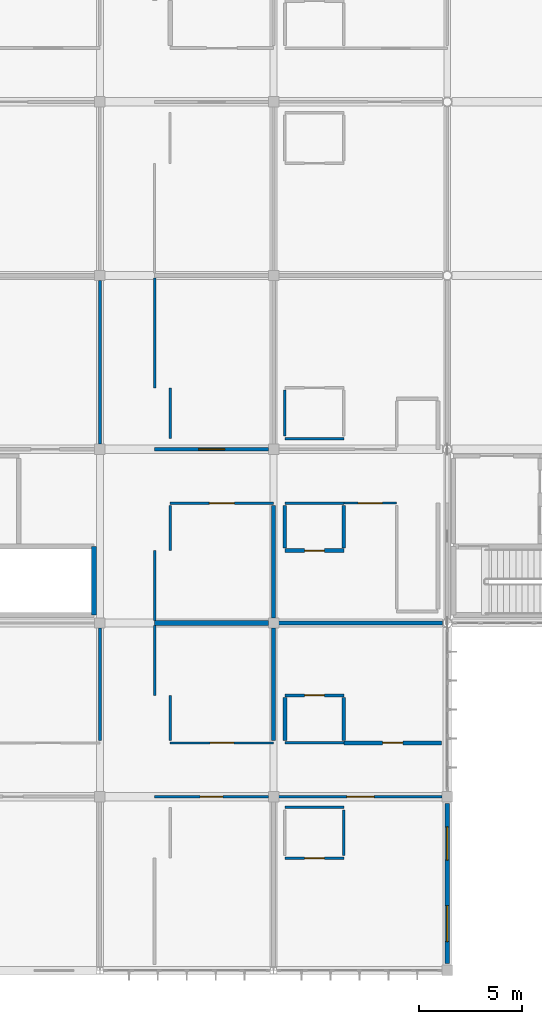
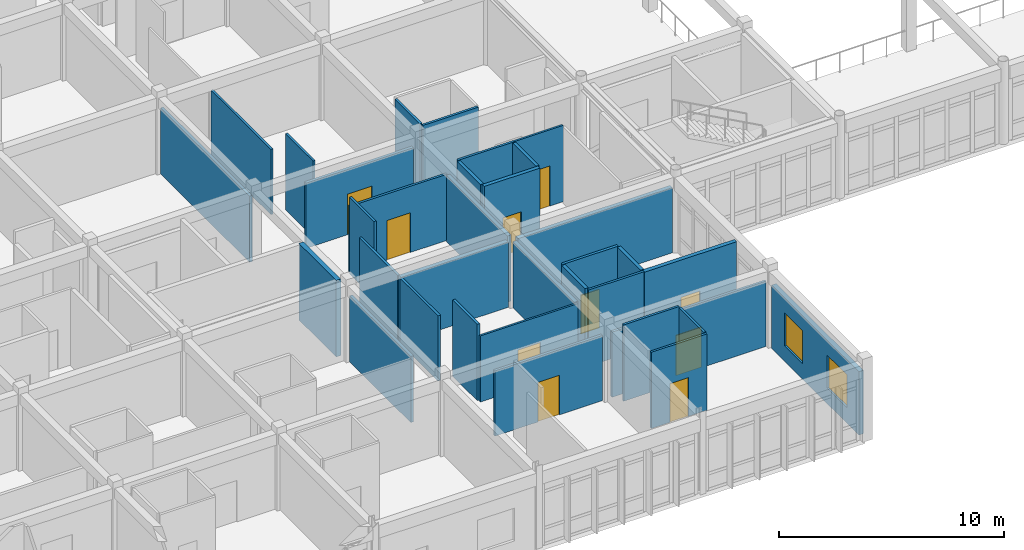
# One storey, part 98 of 144: 34 walls, 10 doors, 2 windows, 12 openings.
"""IFC4 building model written with IfcOpenShell, lengths in metres."""

from ifc_helpers import new_model, si_unit, direction, frame, frame_2d, origin, place, context, subcontext, project, spatial, rectangle, extrude, material, layer, layer_set, type_object, element, fill, save


model = new_model("IFC4")

# Units and contexts
model_context = context("Model", 3, precision=1e-05, world=origin(), true_north=direction((0.0, 1.0)))
body_context = subcontext(model_context, "Body", "Model", "MODEL_VIEW")
ifc_project = project(units=[si_unit("LENGTHUNIT", "METRE"), si_unit("AREAUNIT", "SQUARE_METRE"), si_unit("VOLUMEUNIT", "CUBIC_METRE"), si_unit("PLANEANGLEUNIT", "RADIAN"), si_unit("MASSUNIT", "GRAM", prefix="KILO")], contexts=[model_context])

# Site, building, storey
site_placement = place(None, origin())
site = spatial("IfcSite", under=ifc_project, at=site_placement, CompositionType="ELEMENT")
building_placement = place(site_placement, origin())
building = spatial("IfcBuilding", under=site, at=building_placement, Name="Bramfleet General Hospital", CompositionType="ELEMENT")
storey_placement = place(building_placement, frame((0.0, 0.0, 4.800048828125)))
storey = spatial("IfcBuildingStorey", under=building, at=storey_placement, Name="L01", CompositionType="ELEMENT", Elevation=4.800048828125)

# Wall, openings, windows
ifc_material_1 = material(Name="Precast concrete C40/50", Category="concrete")
ifc_layer_1 = layer(ifc_material_1, 0.235107421875, Name="WT-EW-09")
ifc_layer_set_1 = layer_set([ifc_layer_1], Name="Precast concrete C40/50")
wall_type_1 = type_object("IfcWallType", Name="WT-EW-09", PredefinedType="SOLIDWALL", material=ifc_layer_set_1)
wall_1_placement = place(storey_placement, frame((50.39990234375, 8.074951171875, 0.0), z_axis=(0.0, 0.0, 1.0), x_axis=(0.0, -1.0, 0.0)))
wall_1 = element("IfcWall", 1, at=wall_1_placement, inside=storey, type_object=wall_type_1, Name="L01 Exterior Wall 189", PredefinedType="SOLIDWALL", context=body_context, shape_type="SweptSolid", body=[
    extrude(rectangle(XDim=7.75, YDim=0.235107421875, at=frame_2d((3.875, 0.0))), origin(), (0.0, 0.0, 1.0), 3.43994140625),
])
opening_1_placement = place(wall_1_placement, frame((1.137451171875, 0.0, 0.85009765625)))
opening_1 = element("IfcOpeningElement", 2, at=opening_1_placement, cuts=wall_1, Name="Opening W-44", PredefinedType="OPENING", context=body_context, shape_type="SweptSolid", body=[
    extrude(rectangle(XDim=1.60009765625, YDim=1.780029296875, at=frame_2d((0.800048828125, 0.89013671875))), frame((0.0, 0.12744140625, 0.0), z_axis=(0.0, -1.0, 0.0), x_axis=(1.0, 0.0, 0.0)), (0.0, 0.0, 1.0), 0.255126953125),
])
opening_2_placement = place(wall_1_placement, frame((4.9375, 0.0, 0.85009765625)))
opening_2 = element("IfcOpeningElement", 3, at=opening_2_placement, cuts=wall_1, Name="Opening W-45", PredefinedType="OPENING", context=body_context, shape_type="SweptSolid", body=[
    extrude(rectangle(XDim=1.75, YDim=1.780029296875, at=frame_2d((0.875, 0.89013671875))), frame((0.0, 0.12744140625, 0.0), z_axis=(0.0, -1.0, 0.0), x_axis=(1.0, 0.0, 0.0)), (0.0, 0.0, 1.0), 0.255126953125),
])
ifc_material_2 = material(Name="Anodised aluminium and low-E triple glazing", Category="aluminium")
window_type_1 = type_object("IfcWindowType", Name="WIN-W-44", PartitioningType="SINGLE_PANEL", PredefinedType="WINDOW", material=ifc_material_2)
window_1_placement = place(opening_1_placement, origin())
window_1 = element("IfcWindow", 4, at=window_1_placement, inside=storey, type_object=window_type_1, Name="L01 Facade Window WIN-L01-189-1", OverallHeight=1.780029296875, OverallWidth=1.60009765625, PartitioningType="SINGLE_PANEL", PredefinedType="WINDOW", context=body_context, shape_type="SweptSolid", body=[
    extrude(rectangle(XDim=1.60009765625, YDim=1.780029296875, at=frame_2d((0.800048828125, 0.89013671875))), frame((0.0, 0.030029296875, 0.0), z_axis=(0.0, -1.0, 0.0), x_axis=(1.0, 0.0, 0.0)), (0.0, 0.0, 1.0), 0.06005859375),
])
fill(opening_1, window_1)
window_type_2 = type_object("IfcWindowType", Name="WIN-W-45", PartitioningType="SINGLE_PANEL", PredefinedType="WINDOW", material=ifc_material_2)
window_2_placement = place(opening_2_placement, origin())
window_2 = element("IfcWindow", 5, at=window_2_placement, inside=storey, type_object=window_type_2, Name="L01 Facade Window WIN-L01-189-2", OverallHeight=1.780029296875, OverallWidth=1.75, PartitioningType="SINGLE_PANEL", PredefinedType="WINDOW", context=body_context, shape_type="SweptSolid", body=[
    extrude(rectangle(XDim=1.75, YDim=1.780029296875, at=frame_2d((0.875, 0.89013671875))), frame((0.0, 0.030029296875, 0.0), z_axis=(0.0, -1.0, 0.0), x_axis=(1.0, 0.0, 0.0)), (0.0, 0.0, 1.0), 0.06005859375),
])
fill(opening_2, window_2)

# Wall
ifc_material_3 = material(Name="Concrete C35/45", Category="concrete")
ifc_layer_2 = layer(ifc_material_3, 0.219970703125, Name="WT-IW-01")
ifc_layer_set_2 = layer_set([ifc_layer_2], Name="Concrete C35/45")
wall_type_2 = type_object("IfcWallType", Name="WT-IW-01", PredefinedType="PARTITIONING", material=ifc_layer_set_2)
wall_2_placement = place(storey_placement, frame((36.25, 16.800048828125, 0.0), z_axis=(0.0, 0.0, 1.0), x_axis=(1.0, 0.0, 0.0)))
element("IfcWall", 6, at=wall_2_placement, inside=storey, type_object=wall_type_2, Name="L01 Interior Partition IW-L01-1261", PredefinedType="PARTITIONING", context=body_context, shape_type="SweptSolid", body=[
    extrude(rectangle(XDim=5.5048828125, YDim=0.219970703125, at=frame_2d((2.75244140625, 0.0))), origin(), (0.0, 0.0, 1.0), 3.5400390625),
])

# Wall, opening, door
ifc_layer_3 = layer(ifc_material_3, 0.205078125, Name="WT-IW-02")
ifc_layer_set_3 = layer_set([ifc_layer_3], Name="Concrete C35/45")
wall_type_3 = type_object("IfcWallType", Name="WT-IW-02", PredefinedType="PARTITIONING", material=ifc_layer_set_3)
wall_3_placement = place(storey_placement, frame((45.39990234375, 11.0, 0.0), z_axis=(0.0, 0.0, 1.0), x_axis=(1.0, 0.0, 0.0)))
wall_3 = element("IfcWall", 7, at=wall_3_placement, inside=storey, type_object=wall_type_3, Name="L01 Interior Partition IW-L01-1238", PredefinedType="PARTITIONING", context=body_context, shape_type="SweptSolid", body=[
    extrude(rectangle(XDim=4.72021484375, YDim=0.205078125, at=frame_2d((2.360107421875, 0.0))), origin(), (0.0, 0.0, 1.0), 4.139892578125),
])
opening_3_placement = place(wall_3_placement, frame((1.8701171875, 0.0, 0.0)))
opening_3 = element("IfcOpeningElement", 8, at=opening_3_placement, cuts=wall_3, Name="Opening D0698", PredefinedType="OPENING", context=body_context, shape_type="SweptSolid", body=[
    extrude(rectangle(XDim=0.97998046875, YDim=2.1201171875, at=frame_2d((0.489990234375, 1.06005859375))), frame((0.0, 0.112548828125, 0.0), z_axis=(0.0, -1.0, 0.0), x_axis=(1.0, 0.0, 0.0)), (0.0, 0.0, 1.0), 0.22509765625),
])
ifc_material_4 = material(Name="Stainless steel and acoustic timber leaf", Category="steel")
door_type_1 = type_object("IfcDoorType", Name="DR-D-26", OperationType="NOTDEFINED", PredefinedType="DOOR", material=ifc_material_4)
door_1_placement = place(opening_3_placement, origin())
door_1 = element("IfcDoor", 9, at=door_1_placement, inside=storey, type_object=door_type_1, Name="Emergency Observation Ward Room L01-0501 Door D0698", OperationType="SINGLE_SWING_LEFT", OverallHeight=2.1201171875, OverallWidth=0.97998046875, PredefinedType="DOOR", context=body_context, shape_type="SweptSolid", body=[
    extrude(rectangle(XDim=0.97998046875, YDim=2.1201171875, at=frame_2d((0.489990234375, 1.06005859375))), frame((0.0, 0.02490234375, 0.0), z_axis=(0.0, -1.0, 0.0), x_axis=(1.0, 0.0, 0.0)), (0.0, 0.0, 1.0), 0.050048828125),
])
fill(opening_3, door_1)

# Wall
wall_4_placement = place(storey_placement, frame((42.2451171875, 16.800048828125, 0.0), z_axis=(0.0, 0.0, 1.0), x_axis=(1.0, 0.0, 0.0)))
element("IfcWall", 10, at=wall_4_placement, inside=storey, type_object=wall_type_3, Name="L01 Interior Partition IW-L01-1262", PredefinedType="PARTITIONING", context=body_context, shape_type="SweptSolid", body=[
    extrude(rectangle(XDim=7.931396484375, YDim=0.205078125, at=frame_2d((3.9658203125, 0.0))), origin(), (0.0, 0.0, 1.0), 3.5400390625),
])

# Wall, opening, door
ifc_layer_4 = layer(ifc_material_3, 0.18994140625, Name="WT-IW-03")
ifc_layer_set_4 = layer_set([ifc_layer_4], Name="Concrete C35/45")
wall_type_4 = type_object("IfcWallType", Name="WT-IW-03", PredefinedType="PARTITIONING", material=ifc_layer_set_4)
wall_5_placement = place(storey_placement, frame((42.550048828125, 20.300048828125, 0.0), z_axis=(0.0, 0.0, 1.0), x_axis=(1.0, 0.0, 0.0)))
wall_5 = element("IfcWall", 11, at=wall_5_placement, inside=storey, type_object=wall_type_4, Name="L01 Interior Partition IW-L01-1287", PredefinedType="PARTITIONING", context=body_context, shape_type="SweptSolid", body=[
    extrude(rectangle(XDim=2.849853515625, YDim=0.18994140625, at=frame_2d((1.4248046875, 0.0))), origin(), (0.0, 0.0, 1.0), 4.139892578125),
])
opening_4_placement = place(wall_5_placement, frame((0.949951171875, 0.0, 0.0)))
opening_4 = element("IfcOpeningElement", 12, at=opening_4_placement, cuts=wall_5, Name="Opening D0701", PredefinedType="OPENING", context=body_context, shape_type="SweptSolid", body=[
    extrude(rectangle(XDim=0.949951171875, YDim=2.10009765625, at=frame_2d((0.47509765625, 1.050048828125))), frame((0.0, 0.10498046875, 0.0), z_axis=(0.0, -1.0, 0.0), x_axis=(1.0, 0.0, 0.0)), (0.0, 0.0, 1.0), 0.2099609375),
])
door_type_2 = type_object("IfcDoorType", Name="DR-D-10", OperationType="NOTDEFINED", PredefinedType="DOOR", material=ifc_material_4)
door_2_placement = place(opening_4_placement, origin())
door_2 = element("IfcDoor", 13, at=door_2_placement, inside=storey, type_object=door_type_2, Name="Observation En-Suite Bathroom L01-0502 Door D0701", OperationType="SINGLE_SWING_LEFT", OverallHeight=2.10009765625, OverallWidth=0.949951171875, PredefinedType="DOOR", context=body_context, shape_type="SweptSolid", body=[
    extrude(rectangle(XDim=0.949951171875, YDim=2.10009765625, at=frame_2d((0.47509765625, 1.050048828125))), frame((0.0, 0.02490234375, 0.0), z_axis=(0.0, -1.0, 0.0), x_axis=(1.0, 0.0, 0.0)), (0.0, 0.0, 1.0), 0.050048828125),
])
fill(opening_4, door_2)

# Walls
wall_6_placement = place(storey_placement, frame((42.0, 11.114990234375, 0.0), z_axis=(0.0, 0.0, 1.0), x_axis=(0.0, 1.0, 0.0)))
element("IfcWall", 14, at=wall_6_placement, inside=storey, type_object=wall_type_4, Name="L01 Interior Partition IW-L01-1707", PredefinedType="PARTITIONING", context=body_context, shape_type="SweptSolid", body=[
    extrude(rectangle(XDim=5.43994140625, YDim=0.18994140625, at=frame_2d((2.719970703125, 0.0))), origin(), (0.0, 0.0, 1.0), 3.58984375),
])
ifc_layer_5 = layer(ifc_material_3, 0.179931640625, Name="WT-IW-04")
ifc_layer_set_5 = layer_set([ifc_layer_5], Name="Concrete C35/45")
wall_type_5 = type_object("IfcWallType", Name="WT-IW-04", PredefinedType="PARTITIONING", material=ifc_layer_set_5)
wall_7_placement = place(storey_placement, frame((42.0, 17.044921875, 0.0), z_axis=(0.0, 0.0, 1.0), x_axis=(0.0, 1.0, 0.0)))
element("IfcWall", 15, at=wall_7_placement, inside=storey, type_object=wall_type_5, Name="L01 Interior Partition IW-L01-1708", PredefinedType="PARTITIONING", context=body_context, shape_type="SweptSolid", body=[
    extrude(rectangle(XDim=5.440185546875, YDim=0.179931640625, at=frame_2d((2.72021484375, 0.0))), origin(), (0.0, 0.0, 1.0), 3.58984375),
])
wall_8_placement = place(storey_placement, frame((42.550048828125, 11.114990234375, 0.0), z_axis=(0.0, 0.0, 1.0), x_axis=(0.0, 1.0, 0.0)))
element("IfcWall", 16, at=wall_8_placement, inside=storey, type_object=wall_type_5, Name="L01 Interior Partition IW-L01-1720", PredefinedType="PARTITIONING", context=body_context, shape_type="SweptSolid", body=[
    extrude(rectangle(XDim=2.070068359375, YDim=0.179931640625, at=frame_2d((1.03515625, 0.0))), origin(), (0.0, 0.0, 1.0), 4.139892578125),
])
ifc_material_5 = material(Name="Gypsum plasterboard on acoustic steel studs", Category="steel")
ifc_layer_6 = layer(ifc_material_5, 0.169921875, Name="WT-IW-05")
ifc_layer_set_6 = layer_set([ifc_layer_6], Name="Gypsum plasterboard on acoustic steel studs")
wall_type_6 = type_object("IfcWallType", Name="WT-IW-05", PredefinedType="PARTITIONING", material=ifc_layer_set_6)
for number, where, z_axis, x_axis, name in (
    (17, (42.550048828125, 20.4150390625, 0.0), (0.0, 0.0, 1.0), (0.0, 1.0, 0.0), "L01 Interior Partition IW-L01-1721"),
    (18, (45.39990234375, 11.114990234375, 0.0), (0.0, 0.0, 1.0), (0.0, 1.0, 0.0), "L01 Interior Partition IW-L01-1733"),
):
    element("IfcWall", number, at=place(storey_placement, frame(where, z_axis=z_axis, x_axis=x_axis)), inside=storey, type_object=wall_type_6, Name=name, PredefinedType="PARTITIONING", context=body_context, shape_type="SweptSolid", body=[
        extrude(rectangle(XDim=2.070068359375, YDim=0.169921875, at=frame_2d((1.03515625, 0.0))), origin(), (0.0, 0.0, 1.0), 4.139892578125),
    ])
ifc_layer_7 = layer(ifc_material_5, 0.159912109375, Name="WT-IW-06")
ifc_layer_set_7 = layer_set([ifc_layer_7], Name="Gypsum plasterboard on acoustic steel studs")
wall_type_7 = type_object("IfcWallType", Name="WT-IW-06", PredefinedType="PARTITIONING", material=ifc_layer_set_7)
wall_9_placement = place(storey_placement, frame((45.39990234375, 20.4150390625, 0.0), z_axis=(0.0, 0.0, 1.0), x_axis=(0.0, 1.0, 0.0)))
element("IfcWall", 19, at=wall_9_placement, inside=storey, type_object=wall_type_7, Name="L01 Interior Partition IW-L01-1734", PredefinedType="PARTITIONING", context=body_context, shape_type="SweptSolid", body=[
    extrude(rectangle(XDim=2.070068359375, YDim=0.159912109375, at=frame_2d((1.03515625, 0.0))), origin(), (0.0, 0.0, 1.0), 4.139892578125),
])

# Wall, opening, door
ifc_layer_8 = layer(ifc_material_5, 0.14990234375, Name="WT-IW-07")
ifc_layer_set_8 = layer_set([ifc_layer_8], Name="Gypsum plasterboard on acoustic steel studs")
wall_type_8 = type_object("IfcWallType", Name="WT-IW-07", PredefinedType="PARTITIONING", material=ifc_layer_set_8)
wall_10_placement = place(storey_placement, frame((36.25, 25.199951171875, 0.0), z_axis=(0.0, 0.0, 1.0), x_axis=(1.0, 0.0, 0.0)))
wall_10 = element("IfcWall", 20, at=wall_10_placement, inside=storey, type_object=wall_type_8, Name="L01 Interior Partition IW-L01-1315", PredefinedType="PARTITIONING", context=body_context, shape_type="SweptSolid", body=[
    extrude(rectangle(XDim=5.5048828125, YDim=0.14990234375, at=frame_2d((2.75244140625, 0.0))), origin(), (0.0, 0.0, 1.0), 3.5400390625),
])
opening_5_placement = place(wall_10_placement, frame((2.12744140625, 0.0, 0.0)))
opening_5 = element("IfcOpeningElement", 21, at=opening_5_placement, cuts=wall_10, Name="Opening D0686", PredefinedType="OPENING", context=body_context, shape_type="SweptSolid", body=[
    extrude(rectangle(XDim=1.25, YDim=2.199951171875, at=frame_2d((0.625, 1.10009765625))), frame((0.0, 0.0849609375, 0.0), z_axis=(0.0, -1.0, 0.0), x_axis=(1.0, 0.0, 0.0)), (0.0, 0.0, 1.0), 0.169921875),
])
door_type_3 = type_object("IfcDoorType", Name="DR-D-14", OperationType="NOTDEFINED", PredefinedType="DOOR", material=ifc_material_4)
door_3_placement = place(opening_5_placement, origin())
door_3 = element("IfcDoor", 22, at=door_3_placement, inside=storey, type_object=door_type_3, Name="Emergency Observation Ward Room L01-0403 Door D0686", OperationType="SINGLE_SWING_LEFT", OverallHeight=2.199951171875, OverallWidth=1.25, PredefinedType="DOOR", context=body_context, shape_type="SweptSolid", body=[
    extrude(rectangle(XDim=1.25, YDim=2.199951171875, at=frame_2d((0.625, 1.10009765625))), frame((0.0, 0.02490234375, 0.0), z_axis=(0.0, -1.0, 0.0), x_axis=(1.0, 0.0, 0.0)), (0.0, 0.0, 1.0), 0.050048828125),
])
fill(opening_5, door_3)

# Wall
wall_11_placement = place(storey_placement, frame((33.60009765625, 11.114990234375, 0.0), z_axis=(0.0, 0.0, 1.0), x_axis=(0.0, 1.0, 0.0)))
element("IfcWall", 23, at=wall_11_placement, inside=storey, type_object=wall_type_8, Name="L01 Interior Partition IW-L01-1675", PredefinedType="PARTITIONING", context=body_context, shape_type="SweptSolid", body=[
    extrude(rectangle(XDim=5.43994140625, YDim=0.14990234375, at=frame_2d((2.719970703125, 0.0))), origin(), (0.0, 0.0, 1.0), 3.58984375),
])

# Wall, opening, door
ifc_layer_9 = layer(ifc_material_5, 0.139892578125, Name="WT-IW-08")
ifc_layer_set_9 = layer_set([ifc_layer_9], Name="Gypsum plasterboard on acoustic steel studs")
wall_type_9 = type_object("IfcWallType", Name="WT-IW-08", PredefinedType="PARTITIONING", material=ifc_layer_set_9)
wall_12_placement = place(storey_placement, frame((42.550048828125, 13.300048828125, 0.0), z_axis=(0.0, 0.0, 1.0), x_axis=(1.0, 0.0, 0.0)))
wall_12 = element("IfcWall", 24, at=wall_12_placement, inside=storey, type_object=wall_type_9, Name="L01 Interior Partition IW-L01-1256", PredefinedType="PARTITIONING", context=body_context, shape_type="SweptSolid", body=[
    extrude(rectangle(XDim=2.849853515625, YDim=0.139892578125, at=frame_2d((1.4248046875, 0.0))), origin(), (0.0, 0.0, 1.0), 4.139892578125),
])
opening_6_placement = place(wall_12_placement, frame((0.949951171875, 0.0, 0.0)))
opening_6 = element("IfcOpeningElement", 25, at=opening_6_placement, cuts=wall_12, Name="Opening D0699", PredefinedType="OPENING", context=body_context, shape_type="SweptSolid", body=[
    extrude(rectangle(XDim=0.949951171875, YDim=2.10009765625, at=frame_2d((0.47509765625, 1.050048828125))), frame((0.0, 0.079833984375, 0.0), z_axis=(0.0, -1.0, 0.0), x_axis=(1.0, 0.0, 0.0)), (0.0, 0.0, 1.0), 0.159912109375),
])
door_4_placement = place(opening_6_placement, origin())
door_4 = element("IfcDoor", 26, at=door_4_placement, inside=storey, type_object=door_type_2, Name="Observation En-Suite Bathroom L01-0501 Door D0699", OperationType="SINGLE_SWING_LEFT", OverallHeight=2.10009765625, OverallWidth=0.949951171875, PredefinedType="DOOR", context=body_context, shape_type="SweptSolid", body=[
    extrude(rectangle(XDim=0.949951171875, YDim=2.10009765625, at=frame_2d((0.47509765625, 1.050048828125))), frame((0.0, 0.02490234375, 0.0), z_axis=(0.0, -1.0, 0.0), x_axis=(1.0, 0.0, 0.0)), (0.0, 0.0, 1.0), 0.050048828125),
])
fill(opening_6, door_4)

# Wall
wall_13_placement = place(storey_placement, frame((33.60009765625, 25.445068359375, 0.0), z_axis=(0.0, 0.0, 1.0), x_axis=(0.0, 1.0, 0.0)))
element("IfcWall", 27, at=wall_13_placement, inside=storey, type_object=wall_type_9, Name="L01 Interior Partition IW-L01-1676", PredefinedType="PARTITIONING", context=body_context, shape_type="SweptSolid", body=[
    extrude(rectangle(XDim=7.909912109375, YDim=0.139892578125, at=frame_2d((3.955078125, 0.0))), origin(), (0.0, 0.0, 1.0), 3.58984375),
])

# Wall, opening, door
ifc_layer_10 = layer(ifc_material_5, 0.1298828125, Name="WT-IW-09")
ifc_layer_set_10 = layer_set([ifc_layer_10], Name="Gypsum plasterboard on acoustic steel studs")
wall_type_10 = type_object("IfcWallType", Name="WT-IW-09", PredefinedType="PARTITIONING", material=ifc_layer_set_10)
wall_14_placement = place(storey_placement, frame((36.25, 8.39990234375, 0.0), z_axis=(0.0, 0.0, 1.0), x_axis=(1.0, 0.0, 0.0)))
wall_14 = element("IfcWall", 28, at=wall_14_placement, inside=storey, type_object=wall_type_10, Name="L01 Interior Partition IW-L01-1209", PredefinedType="PARTITIONING", context=body_context, shape_type="SweptSolid", body=[
    extrude(rectangle(XDim=5.5048828125, YDim=0.1298828125, at=frame_2d((2.75244140625, 0.0))), origin(), (0.0, 0.0, 1.0), 3.5400390625),
])
opening_7_placement = place(wall_14_placement, frame((2.202392578125, 0.0, 0.0)))
opening_7 = element("IfcOpeningElement", 29, at=opening_7_placement, cuts=wall_14, Name="Opening D0683", PredefinedType="OPENING", context=body_context, shape_type="SweptSolid", body=[
    extrude(rectangle(XDim=1.10009765625, YDim=2.14990234375, at=frame_2d((0.550048828125, 1.074951171875))), frame((0.0, 0.074951171875, 0.0), z_axis=(0.0, -1.0, 0.0), x_axis=(1.0, 0.0, 0.0)), (0.0, 0.0, 1.0), 0.14990234375),
])
door_type_4 = type_object("IfcDoorType", Name="DR-D-11", OperationType="NOTDEFINED", PredefinedType="DOOR", material=ifc_material_4)
door_5_placement = place(opening_7_placement, origin())
door_5 = element("IfcDoor", 30, at=door_5_placement, inside=storey, type_object=door_type_4, Name="Emergency Observation Ward Room L01-0400 Door D0683", OperationType="SINGLE_SWING_RIGHT", OverallHeight=2.14990234375, OverallWidth=1.10009765625, PredefinedType="DOOR", context=body_context, shape_type="SweptSolid", body=[
    extrude(rectangle(XDim=1.10009765625, YDim=2.14990234375, at=frame_2d((0.550048828125, 1.074951171875))), frame((0.0, 0.02490234375, 0.0), z_axis=(0.0, -1.0, 0.0), x_axis=(1.0, 0.0, 0.0)), (0.0, 0.0, 1.0), 0.050048828125),
])
fill(opening_7, door_5)

# Walls
wall_15_placement = place(storey_placement, frame((36.25, 13.300048828125, 0.0), z_axis=(0.0, 0.0, 1.0), x_axis=(0.0, 1.0, 0.0)))
element("IfcWall", 31, at=wall_15_placement, inside=storey, type_object=wall_type_10, Name="L01 Interior Partition IW-L01-1689", PredefinedType="PARTITIONING", context=body_context, shape_type="SweptSolid", body=[
    extrude(rectangle(XDim=3.385009765625, YDim=0.1298828125, at=frame_2d((1.6923828125, 0.0))), origin(), (0.0, 0.0, 1.0), 3.5400390625),
])
wall_16_placement = place(storey_placement, frame((37.0, 11.114990234375, 0.0), z_axis=(0.0, 0.0, 1.0), x_axis=(0.0, 1.0, 0.0)))
element("IfcWall", 32, at=wall_16_placement, inside=storey, type_object=wall_type_10, Name="L01 Interior Partition IW-L01-1701", PredefinedType="PARTITIONING", context=body_context, shape_type="SweptSolid", body=[
    extrude(rectangle(XDim=2.18505859375, YDim=0.1298828125, at=frame_2d((1.092529296875, 0.0))), origin(), (0.0, 0.0, 1.0), 4.139892578125),
])

# Wall, opening, door
ifc_layer_11 = layer(ifc_material_5, 0.1201171875, Name="WT-IW-10")
ifc_layer_set_11 = layer_set([ifc_layer_11], Name="Gypsum plasterboard on acoustic steel studs")
wall_type_11 = type_object("IfcWallType", Name="WT-IW-10", PredefinedType="PARTITIONING", material=ifc_layer_set_11)
wall_17_placement = place(storey_placement, frame((42.550048828125, 5.429931640625, 0.0), z_axis=(0.0, 0.0, 1.0), x_axis=(1.0, 0.0, 0.0)))
wall_17 = element("IfcWall", 33, at=wall_17_placement, inside=storey, type_object=wall_type_11, Name="L01 Interior Partition IW-L01-1199", PredefinedType="PARTITIONING", context=body_context, shape_type="SweptSolid", body=[
    extrude(rectangle(XDim=2.849853515625, YDim=0.1201171875, at=frame_2d((1.4248046875, 0.0))), origin(), (0.0, 0.0, 1.0), 4.139892578125),
])
opening_8_placement = place(wall_17_placement, frame((0.949951171875, 0.0, 0.0)))
opening_8 = element("IfcOpeningElement", 34, at=opening_8_placement, cuts=wall_17, Name="Opening D0697", PredefinedType="OPENING", context=body_context, shape_type="SweptSolid", body=[
    extrude(rectangle(XDim=0.949951171875, YDim=2.10009765625, at=frame_2d((0.47509765625, 1.050048828125))), frame((0.0, 0.070068359375, 0.0), z_axis=(0.0, -1.0, 0.0), x_axis=(1.0, 0.0, 0.0)), (0.0, 0.0, 1.0), 0.14013671875),
])
door_6_placement = place(opening_8_placement, origin())
door_6 = element("IfcDoor", 35, at=door_6_placement, inside=storey, type_object=door_type_2, Name="Observation En-Suite Bathroom L01-0500 Door D0697", OperationType="SINGLE_SWING_LEFT", OverallHeight=2.10009765625, OverallWidth=0.949951171875, PredefinedType="DOOR", context=body_context, shape_type="SweptSolid", body=[
    extrude(rectangle(XDim=0.949951171875, YDim=2.10009765625, at=frame_2d((0.47509765625, 1.050048828125))), frame((0.0, 0.02490234375, 0.0), z_axis=(0.0, -1.0, 0.0), x_axis=(1.0, 0.0, 0.0)), (0.0, 0.0, 1.0), 0.050048828125),
])
fill(opening_8, door_6)

# Wall
wall_18_placement = place(storey_placement, frame((42.550048828125, 7.8798828125, 0.0), z_axis=(0.0, 0.0, 1.0), x_axis=(1.0, 0.0, 0.0)))
element("IfcWall", 36, at=wall_18_placement, inside=storey, type_object=wall_type_11, Name="L01 Interior Partition IW-L01-1204", PredefinedType="PARTITIONING", context=body_context, shape_type="SweptSolid", body=[
    extrude(rectangle(XDim=2.849853515625, YDim=0.1201171875, at=frame_2d((1.4248046875, 0.0))), origin(), (0.0, 0.0, 1.0), 4.139892578125),
])

# Wall, opening, door
wall_19_placement = place(storey_placement, frame((42.2451171875, 8.39990234375, 0.0), z_axis=(0.0, 0.0, 1.0), x_axis=(1.0, 0.0, 0.0)))
wall_19 = element("IfcWall", 37, at=wall_19_placement, inside=storey, type_object=wall_type_11, Name="L01 Interior Partition IW-L01-1210", PredefinedType="PARTITIONING", context=body_context, shape_type="SweptSolid", body=[
    extrude(rectangle(XDim=7.909912109375, YDim=0.1201171875, at=frame_2d((3.955078125, 0.0))), origin(), (0.0, 0.0, 1.0), 3.5400390625),
])
opening_9_placement = place(wall_19_placement, frame((3.294921875, 0.0, 0.0)))
opening_9 = element("IfcOpeningElement", 38, at=opening_9_placement, cuts=wall_19, Name="Opening D0696", PredefinedType="OPENING", context=body_context, shape_type="SweptSolid", body=[
    extrude(rectangle(XDim=1.320068359375, YDim=2.179931640625, at=frame_2d((0.66015625, 1.08984375))), frame((0.0, 0.070068359375, 0.0), z_axis=(0.0, -1.0, 0.0), x_axis=(1.0, 0.0, 0.0)), (0.0, 0.0, 1.0), 0.14013671875),
])
door_type_5 = type_object("IfcDoorType", Name="DR-D-24", OperationType="NOTDEFINED", PredefinedType="DOOR", material=ifc_material_4)
door_7_placement = place(opening_9_placement, origin())
door_7 = element("IfcDoor", 39, at=door_7_placement, inside=storey, type_object=door_type_5, Name="Emergency Observation Ward Room L01-0500 Door D0696", OperationType="SINGLE_SWING_LEFT", OverallHeight=2.179931640625, OverallWidth=1.320068359375, PredefinedType="DOOR", context=body_context, shape_type="SweptSolid", body=[
    extrude(rectangle(XDim=1.320068359375, YDim=2.179931640625, at=frame_2d((0.66015625, 1.08984375))), frame((0.0, 0.02490234375, 0.0), z_axis=(0.0, -1.0, 0.0), x_axis=(1.0, 0.0, 0.0)), (0.0, 0.0, 1.0), 0.050048828125),
])
fill(opening_9, door_7)

# Wall
wall_20_placement = place(storey_placement, frame((42.550048828125, 11.0, 0.0), z_axis=(0.0, 0.0, 1.0), x_axis=(1.0, 0.0, 0.0)))
element("IfcWall", 40, at=wall_20_placement, inside=storey, type_object=wall_type_11, Name="L01 Interior Partition IW-L01-1237", PredefinedType="PARTITIONING", context=body_context, shape_type="SweptSolid", body=[
    extrude(rectangle(XDim=2.849853515625, YDim=0.1201171875, at=frame_2d((1.4248046875, 0.0))), origin(), (0.0, 0.0, 1.0), 4.139892578125),
])

# Wall, opening, door
wall_21_placement = place(storey_placement, frame((37.0, 22.60009765625, 0.0), z_axis=(0.0, 0.0, 1.0), x_axis=(1.0, 0.0, 0.0)))
wall_21 = element("IfcWall", 41, at=wall_21_placement, inside=storey, type_object=wall_type_11, Name="L01 Interior Partition IW-L01-1294", PredefinedType="PARTITIONING", context=body_context, shape_type="SweptSolid", body=[
    extrude(rectangle(XDim=5.0, YDim=0.1201171875, at=frame_2d((2.5, 0.0))), origin(), (0.0, 0.0, 1.0), 3.58984375),
])
opening_10_placement = place(wall_21_placement, frame((1.89990234375, 0.0, 0.0)))
opening_10 = element("IfcOpeningElement", 42, at=opening_10_placement, cuts=wall_21, Name="Opening D0685", PredefinedType="OPENING", context=body_context, shape_type="SweptSolid", body=[
    extrude(rectangle(XDim=1.199951171875, YDim=2.14990234375, at=frame_2d((0.60009765625, 1.074951171875))), frame((0.0, 0.070068359375, 0.0), z_axis=(0.0, -1.0, 0.0), x_axis=(1.0, 0.0, 0.0)), (0.0, 0.0, 1.0), 0.14013671875),
])
door_type_6 = type_object("IfcDoorType", Name="DR-D-13", OperationType="NOTDEFINED", PredefinedType="DOOR", material=ifc_material_4)
door_8_placement = place(opening_10_placement, origin())
door_8 = element("IfcDoor", 43, at=door_8_placement, inside=storey, type_object=door_type_6, Name="Emergency Observation Ward Room L01-0402 Door D0685", OperationType="SINGLE_SWING_RIGHT", OverallHeight=2.14990234375, OverallWidth=1.199951171875, PredefinedType="DOOR", context=body_context, shape_type="SweptSolid", body=[
    extrude(rectangle(XDim=1.199951171875, YDim=2.14990234375, at=frame_2d((0.60009765625, 1.074951171875))), frame((0.0, 0.02490234375, 0.0), z_axis=(0.0, -1.0, 0.0), x_axis=(1.0, 0.0, 0.0)), (0.0, 0.0, 1.0), 0.050048828125),
])
fill(opening_10, door_8)

# Walls
for number, where, z_axis, x_axis, name in (
    (44, (42.550048828125, 22.60009765625, 0.0), (0.0, 0.0, 1.0), (1.0, 0.0, 0.0), "L01 Interior Partition IW-L01-1295"),
    (45, (42.550048828125, 25.719970703125, 0.0), (0.0, 0.0, 1.0), (1.0, 0.0, 0.0), "L01 Interior Partition IW-L01-1323"),
):
    element("IfcWall", number, at=place(storey_placement, frame(where, z_axis=z_axis, x_axis=x_axis)), inside=storey, type_object=wall_type_11, Name=name, PredefinedType="PARTITIONING", context=body_context, shape_type="SweptSolid", body=[
        extrude(rectangle(XDim=2.849853515625, YDim=0.1201171875, at=frame_2d((1.4248046875, 0.0))), origin(), (0.0, 0.0, 1.0), 4.139892578125),
    ])
wall_22_placement = place(storey_placement, frame((36.25, 16.9150390625, 0.0), z_axis=(0.0, 0.0, 1.0), x_axis=(0.0, 1.0, 0.0)))
element("IfcWall", 46, at=wall_22_placement, inside=storey, type_object=wall_type_11, Name="L01 Interior Partition IW-L01-1690", PredefinedType="PARTITIONING", context=body_context, shape_type="SweptSolid", body=[
    extrude(rectangle(XDim=3.385009765625, YDim=0.1201171875, at=frame_2d((1.6923828125, 0.0))), origin(), (0.0, 0.0, 1.0), 3.5400390625),
])
wall_23_placement = place(storey_placement, frame((37.0, 20.300048828125, 0.0), z_axis=(0.0, 0.0, 1.0), x_axis=(0.0, 1.0, 0.0)))
element("IfcWall", 47, at=wall_23_placement, inside=storey, type_object=wall_type_11, Name="L01 Interior Partition IW-L01-1702", PredefinedType="PARTITIONING", context=body_context, shape_type="SweptSolid", body=[
    extrude(rectangle(XDim=2.18505859375, YDim=0.1201171875, at=frame_2d((1.092529296875, 0.0))), origin(), (0.0, 0.0, 1.0), 4.139892578125),
])
for number, where, z_axis, x_axis, name in (
    (48, (42.550048828125, 25.8349609375, 0.0), (0.0, 0.0, 1.0), (0.0, 1.0, 0.0), "L01 Interior Partition IW-L01-1722"),
    (49, (45.39990234375, 5.544921875, 0.0), (0.0, 0.0, 1.0), (0.0, 1.0, 0.0), "L01 Interior Partition IW-L01-1732"),
):
    element("IfcWall", number, at=place(storey_placement, frame(where, z_axis=z_axis, x_axis=x_axis)), inside=storey, type_object=wall_type_11, Name=name, PredefinedType="PARTITIONING", context=body_context, shape_type="SweptSolid", body=[
        extrude(rectangle(XDim=2.219970703125, YDim=0.1201171875, at=frame_2d((1.10986328125, 0.0))), origin(), (0.0, 0.0, 1.0), 4.139892578125),
    ])
ifc_layer_12 = layer(ifc_material_5, 0.112060546875, Name="WT-IW-11")
ifc_layer_set_12 = layer_set([ifc_layer_12], Name="Gypsum plasterboard on acoustic steel studs")
wall_type_12 = type_object("IfcWallType", Name="WT-IW-11", PredefinedType="PARTITIONING", material=ifc_layer_set_12)
wall_24_placement = place(storey_placement, frame((36.25, 28.169921875, 0.0), z_axis=(0.0, 0.0, 1.0), x_axis=(0.0, 1.0, 0.0)))
element("IfcWall", 50, at=wall_24_placement, inside=storey, type_object=wall_type_12, Name="L01 Interior Partition IW-L01-1691", PredefinedType="PARTITIONING", context=body_context, shape_type="SweptSolid", body=[
    extrude(rectangle(XDim=5.315185546875, YDim=0.112060546875, at=frame_2d((2.65771484375, 0.0))), origin(), (0.0, 0.0, 1.0), 3.5400390625),
])
wall_25_placement = place(storey_placement, frame((37.0, 25.719970703125, 0.0), z_axis=(0.0, 0.0, 1.0), x_axis=(0.0, 1.0, 0.0)))
element("IfcWall", 51, at=wall_25_placement, inside=storey, type_object=wall_type_12, Name="L01 Interior Partition IW-L01-1703", PredefinedType="PARTITIONING", context=body_context, shape_type="SweptSolid", body=[
    extrude(rectangle(XDim=2.449951171875, YDim=0.112060546875, at=frame_2d((1.22509765625, 0.0))), origin(), (0.0, 0.0, 1.0), 4.139892578125),
])

# Wall, opening, door
ifc_layer_13 = layer(ifc_material_5, 0.10009765625, Name="WT-IW-12")
ifc_layer_set_13 = layer_set([ifc_layer_13], Name="Gypsum plasterboard on acoustic steel studs")
wall_type_13 = type_object("IfcWallType", Name="WT-IW-12", PredefinedType="PARTITIONING", material=ifc_layer_set_13)
wall_26_placement = place(storey_placement, frame((37.0, 11.0, 0.0), z_axis=(0.0, 0.0, 1.0), x_axis=(1.0, 0.0, 0.0)))
wall_26 = element("IfcWall", 52, at=wall_26_placement, inside=storey, type_object=wall_type_13, Name="L01 Interior Partition IW-L01-1236", PredefinedType="PARTITIONING", context=body_context, shape_type="SweptSolid", body=[
    extrude(rectangle(XDim=5.0, YDim=0.10009765625, at=frame_2d((2.5, 0.0))), origin(), (0.0, 0.0, 1.0), 3.58984375),
])
opening_11_placement = place(wall_26_placement, frame((1.925048828125, 0.0, 0.0)))
opening_11 = element("IfcOpeningElement", 53, at=opening_11_placement, cuts=wall_26, Name="Opening D0684", PredefinedType="OPENING", context=body_context, shape_type="SweptSolid", body=[
    extrude(rectangle(XDim=1.14990234375, YDim=2.14990234375, at=frame_2d((0.574951171875, 1.074951171875))), frame((0.0, 0.06005859375, 0.0), z_axis=(0.0, -1.0, 0.0), x_axis=(1.0, 0.0, 0.0)), (0.0, 0.0, 1.0), 0.1201171875),
])
door_type_7 = type_object("IfcDoorType", Name="DR-D-12", OperationType="NOTDEFINED", PredefinedType="DOOR", material=ifc_material_4)
door_9_placement = place(opening_11_placement, origin())
door_9 = element("IfcDoor", 54, at=door_9_placement, inside=storey, type_object=door_type_7, Name="Emergency Observation Ward Room L01-0401 Door D0684", OperationType="SINGLE_SWING_LEFT", OverallHeight=2.14990234375, OverallWidth=1.14990234375, PredefinedType="DOOR", context=body_context, shape_type="SweptSolid", body=[
    extrude(rectangle(XDim=1.14990234375, YDim=2.14990234375, at=frame_2d((0.574951171875, 1.074951171875))), frame((0.0, 0.02490234375, 0.0), z_axis=(0.0, -1.0, 0.0), x_axis=(1.0, 0.0, 0.0)), (0.0, 0.0, 1.0), 0.050048828125),
])
fill(opening_11, door_9)

wall_27_placement = place(storey_placement, frame((45.39990234375, 22.60009765625, 0.0), z_axis=(0.0, 0.0, 1.0), x_axis=(1.0, 0.0, 0.0)))
wall_27 = element("IfcWall", 55, at=wall_27_placement, inside=storey, type_object=wall_type_13, Name="L01 Interior Partition IW-L01-1296", PredefinedType="PARTITIONING", context=body_context, shape_type="SweptSolid", body=[
    extrude(rectangle(XDim=2.550048828125, YDim=0.10009765625, at=frame_2d((1.27490234375, 0.0))), origin(), (0.0, 0.0, 1.0), 4.139892578125),
])
opening_12_placement = place(wall_27_placement, frame((0.68505859375, 0.0, 0.0)))
opening_12 = element("IfcOpeningElement", 56, at=opening_12_placement, cuts=wall_27, Name="Opening D0700", PredefinedType="OPENING", context=body_context, shape_type="SweptSolid", body=[
    extrude(rectangle(XDim=1.179931640625, YDim=2.179931640625, at=frame_2d((0.58984375, 1.08984375))), frame((0.0, 0.06005859375, 0.0), z_axis=(0.0, -1.0, 0.0), x_axis=(1.0, 0.0, 0.0)), (0.0, 0.0, 1.0), 0.1201171875),
])
door_type_8 = type_object("IfcDoorType", Name="DR-D-28", OperationType="NOTDEFINED", PredefinedType="DOOR", material=ifc_material_4)
door_10_placement = place(opening_12_placement, origin())
door_10 = element("IfcDoor", 57, at=door_10_placement, inside=storey, type_object=door_type_8, Name="Emergency Observation Ward Room L01-0502 Door D0700", OperationType="SINGLE_SWING_LEFT", OverallHeight=2.179931640625, OverallWidth=1.179931640625, PredefinedType="DOOR", context=body_context, shape_type="SweptSolid", body=[
    extrude(rectangle(XDim=1.179931640625, YDim=2.179931640625, at=frame_2d((0.58984375, 1.08984375))), frame((0.0, 0.02490234375, 0.0), z_axis=(0.0, -1.0, 0.0), x_axis=(1.0, 0.0, 0.0)), (0.0, 0.0, 1.0), 0.050048828125),
])
fill(opening_12, door_10)

# Wall
ifc_material_6 = material(Name="Concrete C40/50", Category="concrete")
ifc_layer_14 = layer(ifc_material_6, 0.239990234375, Name="WT-SW-240")
ifc_layer_set_14 = layer_set([ifc_layer_14], Name="Concrete C40/50")
wall_type_14 = type_object("IfcWallType", Name="WT-SW-240", PredefinedType="SHEAR", material=ifc_layer_set_14)
wall_28_placement = place(storey_placement, frame((33.320068359375, 17.179931640625, 0.0), z_axis=(0.0, 0.0, 1.0), x_axis=(0.0, 1.0, 0.0)))
element("IfcWall", 58, at=wall_28_placement, inside=storey, type_object=wall_type_14, Name="L01 C7 East Stair Shear Wall", PredefinedType="SHEAR", context=body_context, shape_type="SweptSolid", body=[
    extrude(rectangle(XDim=3.320068359375, YDim=0.239990234375, at=frame_2d((1.66015625, 0.0))), origin(), (0.0, 0.0, 1.0), 4.14990234375),
])

save(model, "model.ifc")
